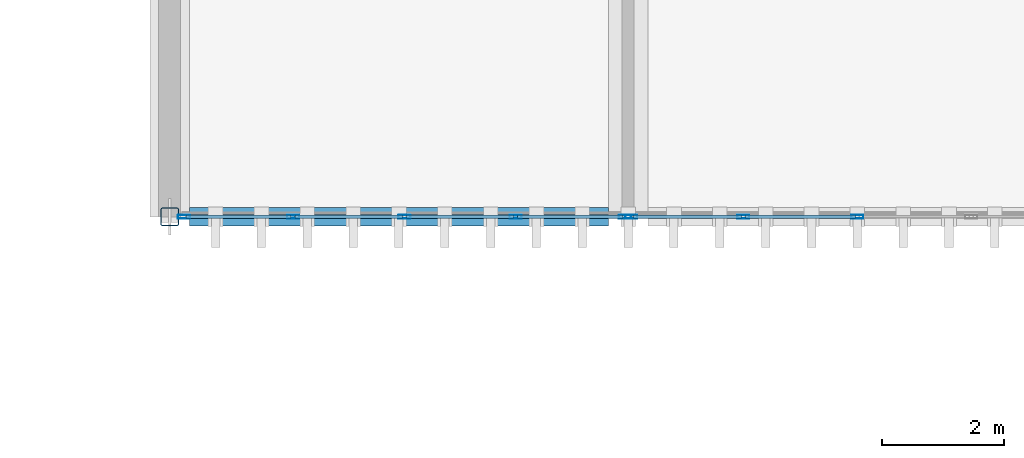
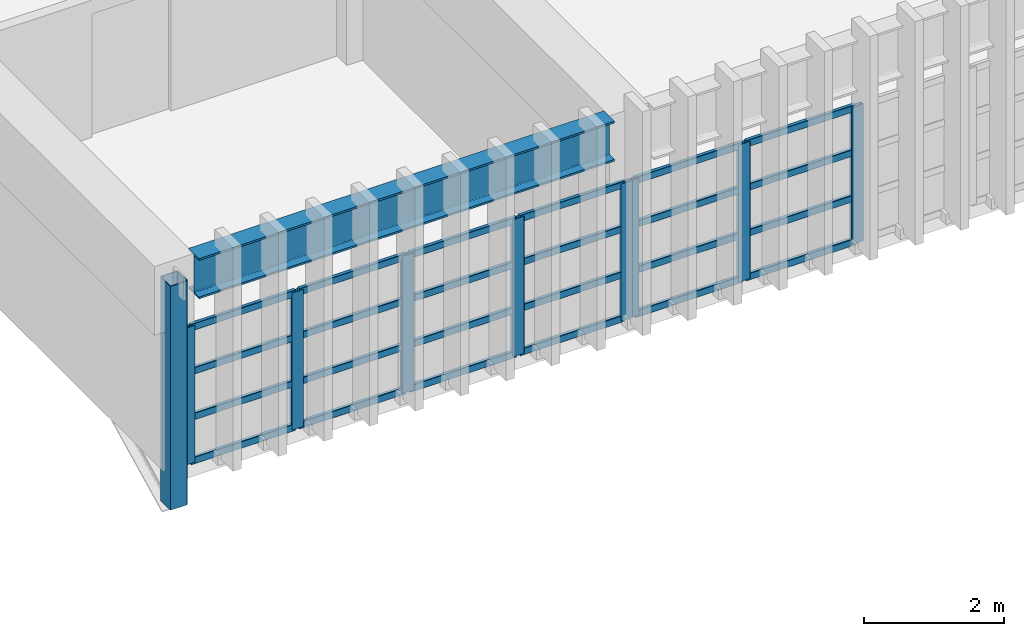
# One storey, part 9 of 101: 33 members, 1 beam, 2 elements without a shape of their own.
"""IFC4 building model written with IfcOpenShell, lengths in metres."""

from ifc_helpers import new_model, si_unit, direction, frame, origin, origin_2d, place, context, subcontext, project, spatial, hollow_rectangle, i_section, extrude, material, material_profile, profile_set, type_object, element, aggregate, save


model = new_model("IFC4")

# Units and contexts
model_context = context("Model", 3, precision=1e-05, world=origin(), true_north=direction((0.0, 1.0)))
body_context = subcontext(model_context, "Body", "Model", "MODEL_VIEW")
ifc_project = project(units=[si_unit("LENGTHUNIT", "METRE"), si_unit("AREAUNIT", "SQUARE_METRE"), si_unit("VOLUMEUNIT", "CUBIC_METRE"), si_unit("PLANEANGLEUNIT", "RADIAN"), si_unit("MASSUNIT", "GRAM", prefix="KILO")], contexts=[model_context])

# Site, building, storey
site_placement = place(None, origin())
site = spatial("IfcSite", under=ifc_project, at=site_placement, CompositionType="ELEMENT")
building_placement = place(site_placement, origin())
building = spatial("IfcBuilding", under=site, at=building_placement, Name="Qasida Concert Hall", CompositionType="ELEMENT")
storey_placement = place(building_placement, frame((0.0, 0.0, 13.199951171875)))
storey = spatial("IfcBuildingStorey", under=building, at=storey_placement, Name="L03", CompositionType="ELEMENT", Elevation=13.199951171875)

# Beam
ifc_material_1 = material(Name="Steel S355J2", Category="steel")
ifc_material_profile_1 = material_profile(ifc_material_1, i_section(OverallWidth=0.300048828125, OverallDepth=0.699951171875, WebThickness=0.01708984375, FlangeThickness=0.031982421875, FilletRadius=0.027099609375, at=origin_2d()), Name="HEB 700")
ifc_profile_set_1 = profile_set([ifc_material_profile_1], Name="Steel S355J2")
beam_type = type_object("IfcBeamType", Name="BM-B7", PredefinedType="BEAM", material=ifc_profile_set_1)
beam_placement = place(storey_placement, frame((52.824951171875, 14.699951171875, 3.27001953125), z_axis=(1.0, 0.0, 0.0), x_axis=(0.0, 1.0, 0.0)))
element("IfcBeam", 1, at=beam_placement, inside=storey, type_object=beam_type, Name="Front overhang fascia beam 019", PredefinedType="BEAM", context=body_context, shape_type="SweptSolid", body=[
    extrude(i_section(OverallWidth=0.300048828125, OverallDepth=0.699951171875, WebThickness=0.01708984375, FlangeThickness=0.031982421875, FilletRadius=0.027099609375, at=origin_2d()), origin(), (0.0, 0.0, 1.0), 6.85009765625),
])

# Curtain wall, members
ifc_material_2 = material(Name="Architectural bronze-anodized aluminium and low-E glass", Category="aluminium")
curtain_wall_type = type_object("IfcCurtainWallType", Name="CW-04", PredefinedType="NOTDEFINED", material=ifc_material_2)
curtain_wall_1_placement = place(storey_placement, origin())
curtain_wall_1 = element("IfcCurtainWall", 2, at=curtain_wall_1_placement, inside=storey, type_object=curtain_wall_type, Name="L03 curtain wall CW-04 0015", PredefinedType="NOTDEFINED")
ifc_material_3 = material(Name="Architectural bronze-anodized aluminium EN AW-6063", Category="aluminium")
ifc_material_profile_2 = material_profile(ifc_material_3, hollow_rectangle(XDim=0.06494140625, YDim=0.199951171875, WallThickness=0.0048828125, InnerFilletRadius=0.0048828125, OuterFilletRadius=0.010009765625, at=origin_2d()), Name="CWM 200x65x5")
ifc_profile_set_2 = profile_set([ifc_material_profile_2], Name="Architectural bronze-anodized aluminium EN AW-6063")
member_type_1 = type_object("IfcMemberType", Name="MB-CWM-2", PredefinedType="MULLION", material=ifc_profile_set_2)
member_1_placement = place(storey_placement, frame((52.732421875, 14.699951171875, 0.0), z_axis=(0.0, 0.0, 1.0), x_axis=(0.0, 1.0, 0.0)))
member_1 = element("IfcMember", 3, at=member_1_placement, type_object=member_type_1, Name="CW-04 mullion 1", PredefinedType="MULLION", context=body_context, shape_type="SweptSolid", body=[
    extrude(hollow_rectangle(XDim=0.06494140625, YDim=0.199951171875, WallThickness=0.0048828125, InnerFilletRadius=0.0048828125, OuterFilletRadius=0.010009765625, at=origin_2d()), origin(), (0.0, 0.0, 1.0), 2.39013671875),
])
member_2_placement = place(storey_placement, frame((54.52001953125, 14.699951171875, 0.0), z_axis=(0.0, 0.0, 1.0), x_axis=(0.0, 1.0, 0.0)))
member_2 = element("IfcMember", 4, at=member_2_placement, type_object=member_type_1, Name="CW-04 mullion 2", PredefinedType="MULLION", context=body_context, shape_type="SweptSolid", body=[
    extrude(hollow_rectangle(XDim=0.06494140625, YDim=0.199951171875, WallThickness=0.0048828125, InnerFilletRadius=0.0048828125, OuterFilletRadius=0.010009765625, at=origin_2d()), origin(), (0.0, 0.0, 1.0), 2.39013671875),
])
member_3_placement = place(storey_placement, frame((56.340087890625, 14.699951171875, 0.0), z_axis=(0.0, 0.0, 1.0), x_axis=(0.0, 1.0, 0.0)))
member_3 = element("IfcMember", 5, at=member_3_placement, type_object=member_type_1, Name="CW-04 mullion 3", PredefinedType="MULLION", context=body_context, shape_type="SweptSolid", body=[
    extrude(hollow_rectangle(XDim=0.06494140625, YDim=0.199951171875, WallThickness=0.0048828125, InnerFilletRadius=0.0048828125, OuterFilletRadius=0.010009765625, at=origin_2d()), origin(), (0.0, 0.0, 1.0), 2.39013671875),
])
member_4_placement = place(storey_placement, frame((58.159912109375, 14.699951171875, 0.0), z_axis=(0.0, 0.0, 1.0), x_axis=(0.0, 1.0, 0.0)))
member_4 = element("IfcMember", 6, at=member_4_placement, type_object=member_type_1, Name="CW-04 mullion 4", PredefinedType="MULLION", context=body_context, shape_type="SweptSolid", body=[
    extrude(hollow_rectangle(XDim=0.06494140625, YDim=0.199951171875, WallThickness=0.0048828125, InnerFilletRadius=0.0048828125, OuterFilletRadius=0.010009765625, at=origin_2d()), origin(), (0.0, 0.0, 1.0), 2.39013671875),
])
member_5_placement = place(storey_placement, frame((59.947509765625, 14.699951171875, 0.0), z_axis=(0.0, 0.0, 1.0), x_axis=(0.0, 1.0, 0.0)))
member_5 = element("IfcMember", 7, at=member_5_placement, type_object=member_type_1, Name="CW-04 mullion 5", PredefinedType="MULLION", context=body_context, shape_type="SweptSolid", body=[
    extrude(hollow_rectangle(XDim=0.06494140625, YDim=0.199951171875, WallThickness=0.0048828125, InnerFilletRadius=0.0048828125, OuterFilletRadius=0.010009765625, at=origin_2d()), origin(), (0.0, 0.0, 1.0), 2.39013671875),
])

curtain_wall_2_placement = place(storey_placement, origin())
curtain_wall_2 = element("IfcCurtainWall", 8, at=curtain_wall_2_placement, inside=storey, type_object=curtain_wall_type, Name="L03 curtain wall CW-04 0016", PredefinedType="NOTDEFINED")
member_6_placement = place(storey_placement, frame((60.052490234375, 14.699951171875, 0.0), z_axis=(0.0, 0.0, 1.0), x_axis=(0.0, 1.0, 0.0)))
member_6 = element("IfcMember", 9, at=member_6_placement, type_object=member_type_1, Name="CW-04 mullion 1", PredefinedType="MULLION", context=body_context, shape_type="SweptSolid", body=[
    extrude(hollow_rectangle(XDim=0.06494140625, YDim=0.199951171875, WallThickness=0.0048828125, InnerFilletRadius=0.0048828125, OuterFilletRadius=0.010009765625, at=origin_2d()), origin(), (0.0, 0.0, 1.0), 2.39013671875),
])
member_7_placement = place(storey_placement, frame((61.885009765625, 14.699951171875, 0.0), z_axis=(0.0, 0.0, 1.0), x_axis=(0.0, 1.0, 0.0)))
member_7 = element("IfcMember", 10, at=member_7_placement, type_object=member_type_1, Name="CW-04 mullion 2", PredefinedType="MULLION", context=body_context, shape_type="SweptSolid", body=[
    extrude(hollow_rectangle(XDim=0.06494140625, YDim=0.199951171875, WallThickness=0.0048828125, InnerFilletRadius=0.0048828125, OuterFilletRadius=0.010009765625, at=origin_2d()), origin(), (0.0, 0.0, 1.0), 2.39013671875),
])
member_8_placement = place(storey_placement, frame((63.75, 14.699951171875, 0.0), z_axis=(0.0, 0.0, 1.0), x_axis=(0.0, 1.0, 0.0)))
member_8 = element("IfcMember", 11, at=member_8_placement, type_object=member_type_1, Name="CW-04 mullion 3", PredefinedType="MULLION", context=body_context, shape_type="SweptSolid", body=[
    extrude(hollow_rectangle(XDim=0.06494140625, YDim=0.199951171875, WallThickness=0.0048828125, InnerFilletRadius=0.0048828125, OuterFilletRadius=0.010009765625, at=origin_2d()), origin(), (0.0, 0.0, 1.0), 2.39013671875),
])

# Member
ifc_material_profile_3 = material_profile(ifc_material_3, hollow_rectangle(XDim=0.06005859375, YDim=0.1201171875, WallThickness=0.00390625, InnerFilletRadius=0.00390625, OuterFilletRadius=0.008056640625, at=origin_2d()), Name="CWT 120x60x4")
ifc_profile_set_3 = profile_set([ifc_material_profile_3], Name="Architectural bronze-anodized aluminium EN AW-6063")
member_type_2 = type_object("IfcMemberType", Name="MB-CWT-2", PredefinedType="USERDEFINED", material=ifc_profile_set_3)
member_9_placement = place(storey_placement, frame((52.764892578125, 14.699951171875, 0.030029296875), z_axis=(1.0, 0.0, 0.0), x_axis=(0.0, 1.0, 0.0)))
member_9 = element("IfcMember", 12, at=member_9_placement, type_object=member_type_2, Name="CW-04 transom 1.1", ObjectType="TRANSOM", PredefinedType="USERDEFINED", context=body_context, shape_type="SweptSolid", body=[
    extrude(hollow_rectangle(XDim=0.06005859375, YDim=0.1201171875, WallThickness=0.00390625, InnerFilletRadius=0.00390625, OuterFilletRadius=0.008056640625, at=origin_2d()), origin(), (0.0, 0.0, 1.0), 1.72265625),
])

member_10_placement = place(storey_placement, frame((52.764892578125, 14.699951171875, 0.796630859375), z_axis=(1.0, 0.0, 0.0), x_axis=(0.0, 1.0, 0.0)))
member_10 = element("IfcMember", 13, at=member_10_placement, type_object=member_type_2, Name="CW-04 transom 1.2", ObjectType="TRANSOM", PredefinedType="USERDEFINED", context=body_context, shape_type="SweptSolid", body=[
    extrude(hollow_rectangle(XDim=0.06005859375, YDim=0.1201171875, WallThickness=0.00390625, InnerFilletRadius=0.00390625, OuterFilletRadius=0.008056640625, at=origin_2d()), origin(), (0.0, 0.0, 1.0), 1.72265625),
])

member_11_placement = place(storey_placement, frame((52.764892578125, 14.699951171875, 1.59326171875), z_axis=(1.0, 0.0, 0.0), x_axis=(0.0, 1.0, 0.0)))
member_11 = element("IfcMember", 14, at=member_11_placement, type_object=member_type_2, Name="CW-04 transom 1.3", ObjectType="TRANSOM", PredefinedType="USERDEFINED", context=body_context, shape_type="SweptSolid", body=[
    extrude(hollow_rectangle(XDim=0.06005859375, YDim=0.1201171875, WallThickness=0.00390625, InnerFilletRadius=0.00390625, OuterFilletRadius=0.008056640625, at=origin_2d()), origin(), (0.0, 0.0, 1.0), 1.72265625),
])

member_12_placement = place(storey_placement, frame((52.764892578125, 14.699951171875, 2.360107421875), z_axis=(1.0, 0.0, 0.0), x_axis=(0.0, 1.0, 0.0)))
member_12 = element("IfcMember", 15, at=member_12_placement, type_object=member_type_2, Name="CW-04 transom 1.4", ObjectType="TRANSOM", PredefinedType="USERDEFINED", context=body_context, shape_type="SweptSolid", body=[
    extrude(hollow_rectangle(XDim=0.06005859375, YDim=0.1201171875, WallThickness=0.00390625, InnerFilletRadius=0.00390625, OuterFilletRadius=0.008056640625, at=origin_2d()), origin(), (0.0, 0.0, 1.0), 1.72265625),
])

member_13_placement = place(storey_placement, frame((54.552490234375, 14.699951171875, 0.030029296875), z_axis=(1.0, 0.0, 0.0), x_axis=(0.0, 1.0, 0.0)))
member_13 = element("IfcMember", 16, at=member_13_placement, type_object=member_type_2, Name="CW-04 transom 2.1", ObjectType="TRANSOM", PredefinedType="USERDEFINED", context=body_context, shape_type="SweptSolid", body=[
    extrude(hollow_rectangle(XDim=0.06005859375, YDim=0.1201171875, WallThickness=0.00390625, InnerFilletRadius=0.00390625, OuterFilletRadius=0.008056640625, at=origin_2d()), origin(), (0.0, 0.0, 1.0), 1.755126953125),
])

member_14_placement = place(storey_placement, frame((54.552490234375, 14.699951171875, 0.796630859375), z_axis=(1.0, 0.0, 0.0), x_axis=(0.0, 1.0, 0.0)))
member_14 = element("IfcMember", 17, at=member_14_placement, type_object=member_type_2, Name="CW-04 transom 2.2", ObjectType="TRANSOM", PredefinedType="USERDEFINED", context=body_context, shape_type="SweptSolid", body=[
    extrude(hollow_rectangle(XDim=0.06005859375, YDim=0.1201171875, WallThickness=0.00390625, InnerFilletRadius=0.00390625, OuterFilletRadius=0.008056640625, at=origin_2d()), origin(), (0.0, 0.0, 1.0), 1.755126953125),
])

member_15_placement = place(storey_placement, frame((54.552490234375, 14.699951171875, 1.59326171875), z_axis=(1.0, 0.0, 0.0), x_axis=(0.0, 1.0, 0.0)))
member_15 = element("IfcMember", 18, at=member_15_placement, type_object=member_type_2, Name="CW-04 transom 2.3", ObjectType="TRANSOM", PredefinedType="USERDEFINED", context=body_context, shape_type="SweptSolid", body=[
    extrude(hollow_rectangle(XDim=0.06005859375, YDim=0.1201171875, WallThickness=0.00390625, InnerFilletRadius=0.00390625, OuterFilletRadius=0.008056640625, at=origin_2d()), origin(), (0.0, 0.0, 1.0), 1.755126953125),
])

member_16_placement = place(storey_placement, frame((54.552490234375, 14.699951171875, 2.360107421875), z_axis=(1.0, 0.0, 0.0), x_axis=(0.0, 1.0, 0.0)))
member_16 = element("IfcMember", 19, at=member_16_placement, type_object=member_type_2, Name="CW-04 transom 2.4", ObjectType="TRANSOM", PredefinedType="USERDEFINED", context=body_context, shape_type="SweptSolid", body=[
    extrude(hollow_rectangle(XDim=0.06005859375, YDim=0.1201171875, WallThickness=0.00390625, InnerFilletRadius=0.00390625, OuterFilletRadius=0.008056640625, at=origin_2d()), origin(), (0.0, 0.0, 1.0), 1.755126953125),
])

member_17_placement = place(storey_placement, frame((56.37255859375, 14.699951171875, 0.030029296875), z_axis=(1.0, 0.0, 0.0), x_axis=(0.0, 1.0, 0.0)))
member_17 = element("IfcMember", 20, at=member_17_placement, type_object=member_type_2, Name="CW-04 transom 3.1", ObjectType="TRANSOM", PredefinedType="USERDEFINED", context=body_context, shape_type="SweptSolid", body=[
    extrude(hollow_rectangle(XDim=0.06005859375, YDim=0.1201171875, WallThickness=0.00390625, InnerFilletRadius=0.00390625, OuterFilletRadius=0.008056640625, at=origin_2d()), origin(), (0.0, 0.0, 1.0), 1.7548828125),
])

member_18_placement = place(storey_placement, frame((56.37255859375, 14.699951171875, 0.796630859375), z_axis=(1.0, 0.0, 0.0), x_axis=(0.0, 1.0, 0.0)))
member_18 = element("IfcMember", 21, at=member_18_placement, type_object=member_type_2, Name="CW-04 transom 3.2", ObjectType="TRANSOM", PredefinedType="USERDEFINED", context=body_context, shape_type="SweptSolid", body=[
    extrude(hollow_rectangle(XDim=0.06005859375, YDim=0.1201171875, WallThickness=0.00390625, InnerFilletRadius=0.00390625, OuterFilletRadius=0.008056640625, at=origin_2d()), origin(), (0.0, 0.0, 1.0), 1.7548828125),
])

member_19_placement = place(storey_placement, frame((56.37255859375, 14.699951171875, 1.59326171875), z_axis=(1.0, 0.0, 0.0), x_axis=(0.0, 1.0, 0.0)))
member_19 = element("IfcMember", 22, at=member_19_placement, type_object=member_type_2, Name="CW-04 transom 3.3", ObjectType="TRANSOM", PredefinedType="USERDEFINED", context=body_context, shape_type="SweptSolid", body=[
    extrude(hollow_rectangle(XDim=0.06005859375, YDim=0.1201171875, WallThickness=0.00390625, InnerFilletRadius=0.00390625, OuterFilletRadius=0.008056640625, at=origin_2d()), origin(), (0.0, 0.0, 1.0), 1.7548828125),
])

member_20_placement = place(storey_placement, frame((56.37255859375, 14.699951171875, 2.360107421875), z_axis=(1.0, 0.0, 0.0), x_axis=(0.0, 1.0, 0.0)))
member_20 = element("IfcMember", 23, at=member_20_placement, type_object=member_type_2, Name="CW-04 transom 3.4", ObjectType="TRANSOM", PredefinedType="USERDEFINED", context=body_context, shape_type="SweptSolid", body=[
    extrude(hollow_rectangle(XDim=0.06005859375, YDim=0.1201171875, WallThickness=0.00390625, InnerFilletRadius=0.00390625, OuterFilletRadius=0.008056640625, at=origin_2d()), origin(), (0.0, 0.0, 1.0), 1.7548828125),
])

member_21_placement = place(storey_placement, frame((58.1923828125, 14.699951171875, 0.030029296875), z_axis=(1.0, 0.0, 0.0), x_axis=(0.0, 1.0, 0.0)))
member_21 = element("IfcMember", 24, at=member_21_placement, type_object=member_type_2, Name="CW-04 transom 4.1", ObjectType="TRANSOM", PredefinedType="USERDEFINED", context=body_context, shape_type="SweptSolid", body=[
    extrude(hollow_rectangle(XDim=0.06005859375, YDim=0.1201171875, WallThickness=0.00390625, InnerFilletRadius=0.00390625, OuterFilletRadius=0.008056640625, at=origin_2d()), origin(), (0.0, 0.0, 1.0), 1.72265625),
])

member_22_placement = place(storey_placement, frame((58.1923828125, 14.699951171875, 0.796630859375), z_axis=(1.0, 0.0, 0.0), x_axis=(0.0, 1.0, 0.0)))
member_22 = element("IfcMember", 25, at=member_22_placement, type_object=member_type_2, Name="CW-04 transom 4.2", ObjectType="TRANSOM", PredefinedType="USERDEFINED", context=body_context, shape_type="SweptSolid", body=[
    extrude(hollow_rectangle(XDim=0.06005859375, YDim=0.1201171875, WallThickness=0.00390625, InnerFilletRadius=0.00390625, OuterFilletRadius=0.008056640625, at=origin_2d()), origin(), (0.0, 0.0, 1.0), 1.72265625),
])

member_23_placement = place(storey_placement, frame((58.1923828125, 14.699951171875, 1.59326171875), z_axis=(1.0, 0.0, 0.0), x_axis=(0.0, 1.0, 0.0)))
member_23 = element("IfcMember", 26, at=member_23_placement, type_object=member_type_2, Name="CW-04 transom 4.3", ObjectType="TRANSOM", PredefinedType="USERDEFINED", context=body_context, shape_type="SweptSolid", body=[
    extrude(hollow_rectangle(XDim=0.06005859375, YDim=0.1201171875, WallThickness=0.00390625, InnerFilletRadius=0.00390625, OuterFilletRadius=0.008056640625, at=origin_2d()), origin(), (0.0, 0.0, 1.0), 1.72265625),
])

member_24_placement = place(storey_placement, frame((58.1923828125, 14.699951171875, 2.360107421875), z_axis=(1.0, 0.0, 0.0), x_axis=(0.0, 1.0, 0.0)))
member_24 = element("IfcMember", 27, at=member_24_placement, type_object=member_type_2, Name="CW-04 transom 4.4", ObjectType="TRANSOM", PredefinedType="USERDEFINED", context=body_context, shape_type="SweptSolid", body=[
    extrude(hollow_rectangle(XDim=0.06005859375, YDim=0.1201171875, WallThickness=0.00390625, InnerFilletRadius=0.00390625, OuterFilletRadius=0.008056640625, at=origin_2d()), origin(), (0.0, 0.0, 1.0), 1.72265625),
])

aggregate(curtain_wall_1, [member_1, member_2, member_3, member_4, member_5, member_9, member_10, member_11, member_12, member_13, member_14, member_15, member_16, member_17, member_18, member_19, member_20, member_21, member_22, member_23, member_24])

member_25_placement = place(storey_placement, frame((60.0849609375, 14.699951171875, 0.030029296875), z_axis=(1.0, 0.0, 0.0), x_axis=(0.0, 1.0, 0.0)))
member_25 = element("IfcMember", 28, at=member_25_placement, type_object=member_type_2, Name="CW-04 transom 1.1", ObjectType="TRANSOM", PredefinedType="USERDEFINED", context=body_context, shape_type="SweptSolid", body=[
    extrude(hollow_rectangle(XDim=0.06005859375, YDim=0.1201171875, WallThickness=0.00390625, InnerFilletRadius=0.00390625, OuterFilletRadius=0.008056640625, at=origin_2d()), origin(), (0.0, 0.0, 1.0), 1.767578125),
])

member_26_placement = place(storey_placement, frame((60.0849609375, 14.699951171875, 0.796630859375), z_axis=(1.0, 0.0, 0.0), x_axis=(0.0, 1.0, 0.0)))
member_26 = element("IfcMember", 29, at=member_26_placement, type_object=member_type_2, Name="CW-04 transom 1.2", ObjectType="TRANSOM", PredefinedType="USERDEFINED", context=body_context, shape_type="SweptSolid", body=[
    extrude(hollow_rectangle(XDim=0.06005859375, YDim=0.1201171875, WallThickness=0.00390625, InnerFilletRadius=0.00390625, OuterFilletRadius=0.008056640625, at=origin_2d()), origin(), (0.0, 0.0, 1.0), 1.767578125),
])

member_27_placement = place(storey_placement, frame((60.0849609375, 14.699951171875, 1.59326171875), z_axis=(1.0, 0.0, 0.0), x_axis=(0.0, 1.0, 0.0)))
member_27 = element("IfcMember", 30, at=member_27_placement, type_object=member_type_2, Name="CW-04 transom 1.3", ObjectType="TRANSOM", PredefinedType="USERDEFINED", context=body_context, shape_type="SweptSolid", body=[
    extrude(hollow_rectangle(XDim=0.06005859375, YDim=0.1201171875, WallThickness=0.00390625, InnerFilletRadius=0.00390625, OuterFilletRadius=0.008056640625, at=origin_2d()), origin(), (0.0, 0.0, 1.0), 1.767578125),
])

member_28_placement = place(storey_placement, frame((60.0849609375, 14.699951171875, 2.360107421875), z_axis=(1.0, 0.0, 0.0), x_axis=(0.0, 1.0, 0.0)))
member_28 = element("IfcMember", 31, at=member_28_placement, type_object=member_type_2, Name="CW-04 transom 1.4", ObjectType="TRANSOM", PredefinedType="USERDEFINED", context=body_context, shape_type="SweptSolid", body=[
    extrude(hollow_rectangle(XDim=0.06005859375, YDim=0.1201171875, WallThickness=0.00390625, InnerFilletRadius=0.00390625, OuterFilletRadius=0.008056640625, at=origin_2d()), origin(), (0.0, 0.0, 1.0), 1.767578125),
])

member_29_placement = place(storey_placement, frame((61.91748046875, 14.699951171875, 0.030029296875), z_axis=(1.0, 0.0, 0.0), x_axis=(0.0, 1.0, 0.0)))
member_29 = element("IfcMember", 32, at=member_29_placement, type_object=member_type_2, Name="CW-04 transom 2.1", ObjectType="TRANSOM", PredefinedType="USERDEFINED", context=body_context, shape_type="SweptSolid", body=[
    extrude(hollow_rectangle(XDim=0.06005859375, YDim=0.1201171875, WallThickness=0.00390625, InnerFilletRadius=0.00390625, OuterFilletRadius=0.008056640625, at=origin_2d()), origin(), (0.0, 0.0, 1.0), 1.800048828125),
])

member_30_placement = place(storey_placement, frame((61.91748046875, 14.699951171875, 0.796630859375), z_axis=(1.0, 0.0, 0.0), x_axis=(0.0, 1.0, 0.0)))
member_30 = element("IfcMember", 33, at=member_30_placement, type_object=member_type_2, Name="CW-04 transom 2.2", ObjectType="TRANSOM", PredefinedType="USERDEFINED", context=body_context, shape_type="SweptSolid", body=[
    extrude(hollow_rectangle(XDim=0.06005859375, YDim=0.1201171875, WallThickness=0.00390625, InnerFilletRadius=0.00390625, OuterFilletRadius=0.008056640625, at=origin_2d()), origin(), (0.0, 0.0, 1.0), 1.800048828125),
])

member_31_placement = place(storey_placement, frame((61.91748046875, 14.699951171875, 1.59326171875), z_axis=(1.0, 0.0, 0.0), x_axis=(0.0, 1.0, 0.0)))
member_31 = element("IfcMember", 34, at=member_31_placement, type_object=member_type_2, Name="CW-04 transom 2.3", ObjectType="TRANSOM", PredefinedType="USERDEFINED", context=body_context, shape_type="SweptSolid", body=[
    extrude(hollow_rectangle(XDim=0.06005859375, YDim=0.1201171875, WallThickness=0.00390625, InnerFilletRadius=0.00390625, OuterFilletRadius=0.008056640625, at=origin_2d()), origin(), (0.0, 0.0, 1.0), 1.800048828125),
])

member_32_placement = place(storey_placement, frame((61.91748046875, 14.699951171875, 2.360107421875), z_axis=(1.0, 0.0, 0.0), x_axis=(0.0, 1.0, 0.0)))
member_32 = element("IfcMember", 35, at=member_32_placement, type_object=member_type_2, Name="CW-04 transom 2.4", ObjectType="TRANSOM", PredefinedType="USERDEFINED", context=body_context, shape_type="SweptSolid", body=[
    extrude(hollow_rectangle(XDim=0.06005859375, YDim=0.1201171875, WallThickness=0.00390625, InnerFilletRadius=0.00390625, OuterFilletRadius=0.008056640625, at=origin_2d()), origin(), (0.0, 0.0, 1.0), 1.800048828125),
])

aggregate(curtain_wall_2, [member_6, member_7, member_8, member_25, member_26, member_27, member_28, member_29, member_30, member_31, member_32])

ifc_material_profile_4 = material_profile(ifc_material_1, hollow_rectangle(XDim=0.300048828125, YDim=0.300048828125, WallThickness=0.01611328125, InnerFilletRadius=0.01611328125, OuterFilletRadius=0.031982421875, at=origin_2d()), Name="SHS 300x300x16")
ifc_profile_set_4 = profile_set([ifc_material_profile_4], Name="Steel S355J2")
member_type_3 = type_object("IfcMemberType", Name="MB-ST4", PredefinedType="STRUT", material=ifc_profile_set_4)
member_33_placement = place(storey_placement, frame((52.5, 14.699951171875, -0.599853515625), z_axis=(0.0, 0.0, 1.0), x_axis=(1.0, 0.0, 0.0)))
element("IfcMember", 36, at=member_33_placement, inside=storey, type_object=member_type_3, Name="Wall truss post WT-W-007", PredefinedType="STRUT", context=body_context, shape_type="SweptSolid", body=[
    extrude(hollow_rectangle(XDim=0.300048828125, YDim=0.300048828125, WallThickness=0.01611328125, InnerFilletRadius=0.01611328125, OuterFilletRadius=0.031982421875, at=origin_2d()), origin(), (0.0, 0.0, 1.0), 3.89990234375),
])

save(model, "model.ifc")
